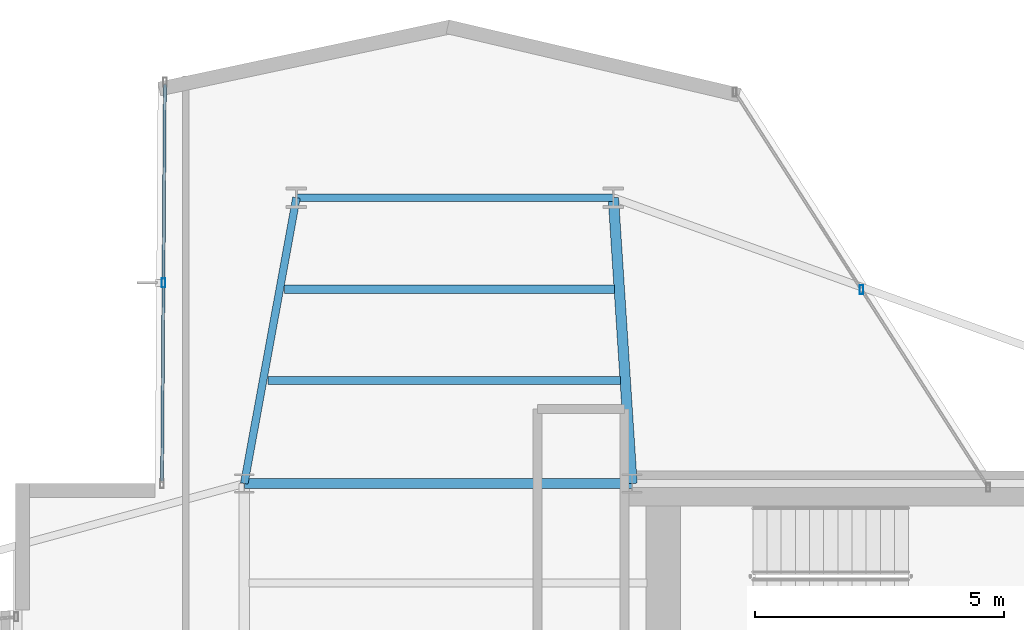
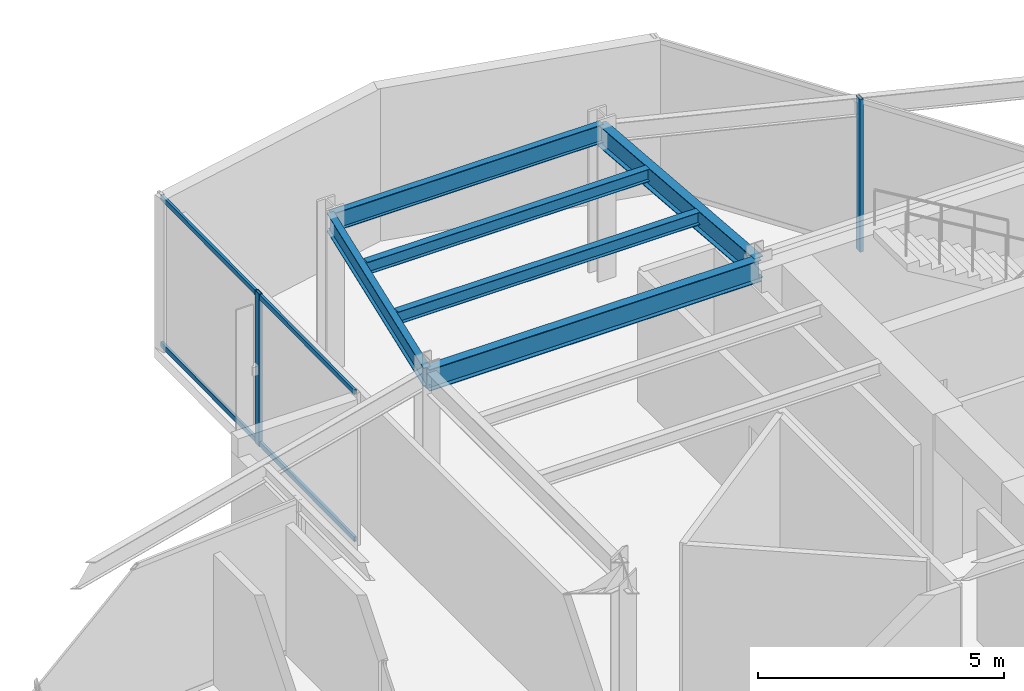
# One storey, part 12 of 23: 6 beams, 4 members, 2 elements without a shape of their own.
"""IFC4 building model written with IfcOpenShell, lengths in metres."""

from ifc_helpers import new_model, si_unit, direction, frame, origin, origin_2d, place, context, subcontext, project, spatial, hollow_rectangle, i_section, extrude, material, layer, layer_set, material_profile, profile_set, type_object, element, aggregate, save


model = new_model("IFC4")

# Units and contexts
model_context = context("Model", 3, precision=1e-05, world=origin(), true_north=direction((0.0, 1.0)))
body_context = subcontext(model_context, "Body", "Model", "MODEL_VIEW")
ifc_project = project(units=[si_unit("LENGTHUNIT", "METRE"), si_unit("AREAUNIT", "SQUARE_METRE"), si_unit("VOLUMEUNIT", "CUBIC_METRE"), si_unit("PLANEANGLEUNIT", "RADIAN"), si_unit("MASSUNIT", "GRAM", prefix="KILO")], contexts=[model_context])

# Site, building, storey
site_placement = place(None, origin())
site = spatial("IfcSite", under=ifc_project, at=site_placement, CompositionType="ELEMENT")
building_placement = place(site_placement, origin())
building = spatial("IfcBuilding", under=site, at=building_placement, Name="Veymaron Broadcast Tower", CompositionType="ELEMENT")
storey_placement = place(building_placement, frame((0.0, 0.0, 195.89990234375)))
storey = spatial("IfcBuildingStorey", under=building, at=storey_placement, Name="L45", CompositionType="ELEMENT", Elevation=195.89990234375)

# Beams
ifc_material_1 = material(Name="Structural steel ASTM A992 Gr 50", Category="steel")
ifc_material_profile_1 = material_profile(ifc_material_1, i_section(OverallWidth=0.2099609375, OverallDepth=0.537109375, WebThickness=0.010986328125, FlangeThickness=0.017333984375, at=origin_2d()), Name="W530X101")
ifc_profile_set_1 = profile_set([ifc_material_profile_1], Name="Structural steel ASTM A992 Gr 50")
beam_type_1 = type_object("IfcBeamType", Name="BM-FG3", PredefinedType="BEAM", material=ifc_profile_set_1)
beam_1_placement = place(storey_placement, frame((31.199951171875, 32.0, 3.521484375), z_axis=(1.0, 0.0, 0.0), x_axis=(0.0, 1.0, 0.0)))
element("IfcBeam", 1, at=beam_1_placement, inside=storey, type_object=beam_type_1, Name="L45 primary structural floor girder", PredefinedType="BEAM", context=body_context, shape_type="SweptSolid", body=[
    extrude(i_section(OverallWidth=0.2099609375, OverallDepth=0.537109375, WebThickness=0.010986328125, FlangeThickness=0.017333984375, at=origin_2d()), origin(), (0.0, 0.0, 1.0), 7.800048828125),
])
beam_2_placement = place(storey_placement, frame((39.0, 32.0, 3.521484375), z_axis=(-0.065079137346, 0.997880105966, 0.0), x_axis=(-0.997880105966, -0.065079137346, 0.0)))
element("IfcBeam", 2, at=beam_2_placement, inside=storey, type_object=beam_type_1, Name="L45 primary structural floor girder", PredefinedType="BEAM", context=body_context, shape_type="SweptSolid", body=[
    extrude(i_section(OverallWidth=0.2099609375, OverallDepth=0.537109375, WebThickness=0.010986328125, FlangeThickness=0.017333984375, at=origin_2d()), origin(), (0.0, 0.0, 1.0), 5.76220703125),
])
ifc_material_profile_2 = material_profile(ifc_material_1, i_section(OverallWidth=0.1650390625, OverallDepth=0.31005859375, WebThickness=0.005859375, FlangeThickness=0.009765625, at=origin_2d()), Name="W310X39")
ifc_profile_set_2 = profile_set([ifc_material_profile_2], Name="Structural steel ASTM A992 Gr 50")
beam_type_2 = type_object("IfcBeamType", Name="BM-JS3", PredefinedType="JOIST", material=ifc_profile_set_2)
beam_3_placement = place(storey_placement, frame((31.677978515625, 34.070068359375, 3.635009765625), z_axis=(1.0, 0.0, 0.0), x_axis=(0.0, 1.0, 0.0)))
element("IfcBeam", 3, at=beam_3_placement, inside=storey, type_object=beam_type_2, Name="L45 Arm-B secondary joist 1", PredefinedType="JOIST", context=body_context, shape_type="SweptSolid", body=[
    extrude(i_section(OverallWidth=0.1650390625, OverallDepth=0.31005859375, WebThickness=0.005859375, FlangeThickness=0.009765625, at=origin_2d()), origin(), (0.0, 0.0, 1.0), 7.0869140625),
])
beam_4_placement = place(storey_placement, frame((32.013916015625, 35.909912109375, 3.635009765625), z_axis=(1.0, 0.0, 0.0), x_axis=(0.0, 1.0, 0.0)))
element("IfcBeam", 4, at=beam_4_placement, inside=storey, type_object=beam_type_2, Name="L45 Arm-B secondary joist 2", PredefinedType="JOIST", context=body_context, shape_type="SweptSolid", body=[
    extrude(i_section(OverallWidth=0.1650390625, OverallDepth=0.31005859375, WebThickness=0.005859375, FlangeThickness=0.009765625, at=origin_2d()), origin(), (0.0, 0.0, 1.0), 6.631103515625),
])
ifc_material_profile_3 = material_profile(ifc_material_1, i_section(OverallWidth=0.154052734375, OverallDepth=0.458984375, WebThickness=0.009033203125, FlangeThickness=0.015380859375, at=origin_2d()), Name="W460X68")
ifc_profile_set_3 = profile_set([ifc_material_profile_3], Name="Structural steel ASTM A992 Gr 50")
beam_type_3 = type_object("IfcBeamType", Name="BM-SP2", PredefinedType="SPANDREL", material=ifc_profile_set_3)
beam_5_placement = place(storey_placement, frame((31.199951171875, 32.0, 3.560546875), z_axis=(0.179646239371, 0.983731278693, 0.0), x_axis=(-0.983731278693, 0.179646239371, 0.0)))
element("IfcBeam", 5, at=beam_5_placement, inside=storey, type_object=beam_type_3, Name="L45 primary structural floor girder", PredefinedType="SPANDREL", context=body_context, shape_type="SweptSolid", body=[
    extrude(i_section(OverallWidth=0.154052734375, OverallDepth=0.458984375, WebThickness=0.009033203125, FlangeThickness=0.015380859375, at=origin_2d()), origin(), (0.0, 0.0, 1.0), 5.844970703125),
])
beam_6_placement = place(storey_placement, frame((32.25, 37.75, 3.560546875), z_axis=(1.0, 0.0, 0.0), x_axis=(0.0, 1.0, 0.0)))
element("IfcBeam", 6, at=beam_6_placement, inside=storey, type_object=beam_type_3, Name="L45 primary structural floor girder", PredefinedType="SPANDREL", context=body_context, shape_type="SweptSolid", body=[
    extrude(i_section(OverallWidth=0.154052734375, OverallDepth=0.458984375, WebThickness=0.009033203125, FlangeThickness=0.015380859375, at=origin_2d()), origin(), (0.0, 0.0, 1.0), 6.375),
])

# Curtain wall, member
ifc_material_2 = material(Name="Anodised aluminium AA 6063-T6 and laminated low-E dark glass", Category="aluminium")
ifc_layer = layer(ifc_material_2, 0.179931640625)
ifc_layer_set = layer_set([ifc_layer], Name="Anodised aluminium AA 6063-T6 and laminated low-E dark glass")
curtain_wall_type = type_object("IfcCurtainWallType", Name="CW-SYS-05", PredefinedType="NOTDEFINED", material=ifc_layer_set)
curtain_wall_1_placement = place(storey_placement, origin())
curtain_wall_1 = element("IfcCurtainWall", 7, at=curtain_wall_1_placement, inside=storey, type_object=curtain_wall_type, Name="L45 dark-glass curtain wall CW-L45-E5-1", PredefinedType="NOTDEFINED")
ifc_material_3 = material(Name="Anodised aluminium AA 6063-T6", Category="aluminium")
ifc_material_profile_4 = material_profile(ifc_material_3, hollow_rectangle(XDim=0.074951171875, YDim=0.179931640625, WallThickness=0.0048828125, at=origin_2d()), Name="AL180X75X5")
ifc_profile_set_4 = profile_set([ifc_material_profile_4], Name="Anodised aluminium AA 6063-T6")
member_type_1 = type_object("IfcMemberType", Name="CW-MUL-02", PredefinedType="MULLION", material=ifc_profile_set_4)
member_1_placement = place(storey_placement, frame((43.618896484375, 35.8994140625, 0.0), z_axis=(0.0, 0.0, 1.0), x_axis=(1.0, 0.0, 0.0)))
member_1 = element("IfcMember", 8, at=member_1_placement, type_object=member_type_1, Name="CW-L45-E5-1 mullion 1", PredefinedType="MULLION", context=body_context, shape_type="SweptSolid", body=[
    extrude(hollow_rectangle(XDim=0.074951171875, YDim=0.179931640625, WallThickness=0.0048828125, at=origin_2d()), origin(), (0.0, 0.0, 1.0), 3.7900390625),
])
aggregate(curtain_wall_1, [member_1])

# Curtain wall, members
curtain_wall_2_placement = place(storey_placement, origin())
curtain_wall_2 = element("IfcCurtainWall", 9, at=curtain_wall_2_placement, inside=storey, type_object=curtain_wall_type, Name="L45 dark-glass curtain wall CW-L45-E8-1", PredefinedType="NOTDEFINED")
member_2_placement = place(storey_placement, frame((29.574462890625, 36.03662109375, 0.0), z_axis=(0.0, 0.0, 1.0), x_axis=(1.0, 0.0, 0.0)))
member_2 = element("IfcMember", 10, at=member_2_placement, type_object=member_type_1, Name="CW-L45-E8-1 mullion 1", PredefinedType="MULLION", context=body_context, shape_type="SweptSolid", body=[
    extrude(hollow_rectangle(XDim=0.074951171875, YDim=0.179931640625, WallThickness=0.0048828125, at=origin_2d()), origin(), (0.0, 0.0, 1.0), 3.7900390625),
])
ifc_material_profile_5 = material_profile(ifc_material_3, hollow_rectangle(XDim=0.06005859375, YDim=0.1201171875, WallThickness=0.00390625, at=origin_2d()), Name="AL120X60X4")
ifc_profile_set_5 = profile_set([ifc_material_profile_5], Name="Anodised aluminium AA 6063-T6")
member_type_2 = type_object("IfcMemberType", Name="CW-TRN-02", PredefinedType="USERDEFINED", material=ifc_profile_set_5)
member_3_placement = place(storey_placement, frame((29.602783203125, 40.02392578125, 0.070068359375), z_axis=(-0.007102224053, -0.999974778889, 0.0), x_axis=(0.999974778889, -0.007102224053, 0.0)))
member_3 = element("IfcMember", 11, at=member_3_placement, type_object=member_type_2, Name="CW-L45-E8-1 transom B", ObjectType="TRANSOM", PredefinedType="USERDEFINED", context=body_context, shape_type="SweptSolid", body=[
    extrude(hollow_rectangle(XDim=0.06005859375, YDim=0.1201171875, WallThickness=0.00390625, at=origin_2d()), origin(), (0.0, 0.0, 1.0), 7.97509765625),
])
member_4_placement = place(storey_placement, frame((29.602783203125, 40.02392578125, 3.72021484375), z_axis=(-0.007102224053, -0.999974778889, 0.0), x_axis=(0.999974778889, -0.007102224053, 0.0)))
member_4 = element("IfcMember", 12, at=member_4_placement, type_object=member_type_2, Name="CW-L45-E8-1 transom T", ObjectType="TRANSOM", PredefinedType="USERDEFINED", context=body_context, shape_type="SweptSolid", body=[
    extrude(hollow_rectangle(XDim=0.06005859375, YDim=0.1201171875, WallThickness=0.00390625, at=origin_2d()), origin(), (0.0, 0.0, 1.0), 7.97509765625),
])
aggregate(curtain_wall_2, [member_2, member_3, member_4])

save(model, "model.ifc")
